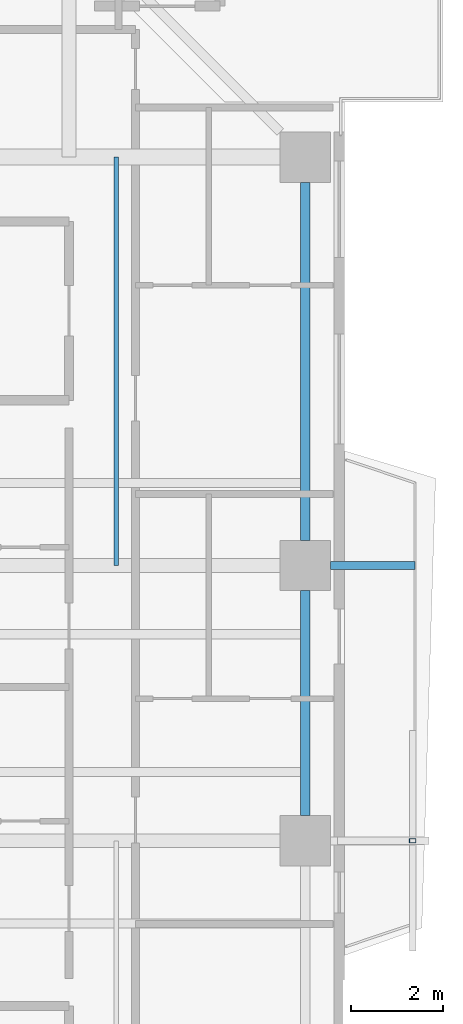
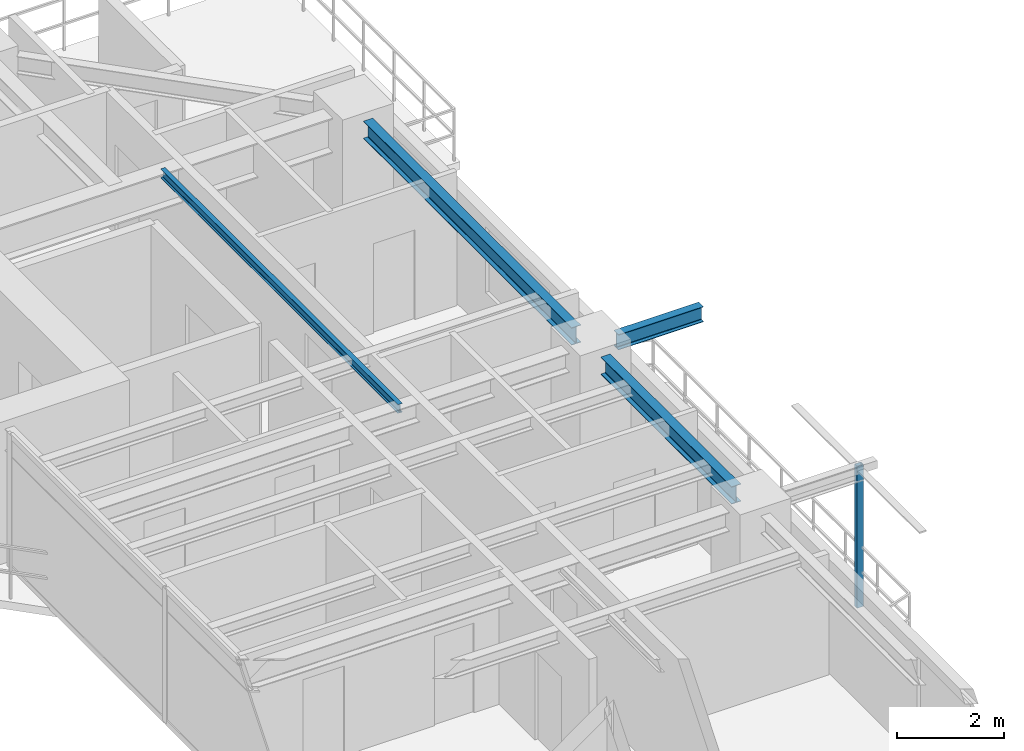
# One storey, part 7 of 17: 4 beams, 1 member.
"""IFC4 building model written with IfcOpenShell, lengths in metres."""

from ifc_helpers import new_model, si_unit, direction, frame, origin, origin_2d, place, context, subcontext, project, spatial, hollow_rectangle, i_section, extrude, source, transform, mapped, material, material_profile, profile_set, type_object, element, save


model = new_model("IFC4")

# Units and contexts
model_context = context("Model", 3, precision=1e-05, world=origin(), true_north=direction((0.0, 1.0)))
body_context = subcontext(model_context, "Body", "Model", "MODEL_VIEW")
ifc_project = project(units=[si_unit("LENGTHUNIT", "METRE"), si_unit("AREAUNIT", "SQUARE_METRE"), si_unit("VOLUMEUNIT", "CUBIC_METRE"), si_unit("PLANEANGLEUNIT", "RADIAN"), si_unit("MASSUNIT", "GRAM", prefix="KILO"), si_unit("THERMODYNAMICTEMPERATUREUNIT", "KELVIN"), si_unit("POWERUNIT", "WATT")], contexts=[model_context])

# Site, building, storey
site_placement = place(None, origin())
site = spatial("IfcSite", under=ifc_project, at=site_placement, CompositionType="ELEMENT")
building_placement = place(site_placement, origin())
building = spatial("IfcBuilding", under=site, at=building_placement, Name="Qiaomeng Ring Towers", CompositionType="ELEMENT")
storey_placement = place(building_placement, frame((0.0, 0.0, 123.0)))
storey = spatial("IfcBuildingStorey", under=building, at=storey_placement, Name="L35", CompositionType="ELEMENT", Elevation=123.0)

# Beams
ifc_material_1 = material(Name="Steel Q355B", Category="steel")
ifc_material_profile_1 = material_profile(ifc_material_1, i_section(OverallWidth=0.199951171875, OverallDepth=0.39990234375, WebThickness=0.008056640625, FlangeThickness=0.012939453125, FilletRadius=0.01611328125, at=origin_2d()), Name="HN 400x200x8x13")
ifc_profile_set_1 = profile_set([ifc_material_profile_1], Name="Steel Q355B")
beam_type_1 = type_object("IfcBeamType", Name="STR-BM-HN400", PredefinedType="SPANDREL", material=ifc_profile_set_1)
shared_shape_1 = source(origin(), body_context, "Body", "SweptSolid", [
    extrude(i_section(OverallWidth=0.199951171875, OverallDepth=0.39990234375, WebThickness=0.008056640625, FlangeThickness=0.012939453125, FilletRadius=0.01611328125, at=origin_2d()), origin(), (0.0, 0.0, 1.0), 7.802001953125),
])
beam_1_placement = place(storey_placement, frame((36.050048828125, 26.549072265625, 2.8701171875), z_axis=(0.0, 1.0, 0.0), x_axis=(-1.0, 0.0, 0.0)))
element("IfcBeam", 1, at=beam_1_placement, inside=storey, type_object=beam_type_1, Name="L35 beam STR-SP-L35-T1-E3-E4", PredefinedType="SPANDREL", context=body_context, shape_type="MappedRepresentation", body=[
    mapped(shared_shape_1, transform((0.0, 0.0, 0.0), x_axis=(1.0, 0.0, 0.0), y_axis=(0.0, 1.0, 0.0), z_axis=(0.0, 0.0, 1.0), scale=1.0)),
])
shared_shape_2 = source(origin(), body_context, "Body", "SweptSolid", [
    extrude(i_section(OverallWidth=0.199951171875, OverallDepth=0.39990234375, WebThickness=0.008056640625, FlangeThickness=0.012939453125, FilletRadius=0.01611328125, at=origin_2d()), origin(), (0.0, 0.0, 1.0), 4.90185546875),
])
beam_2_placement = place(storey_placement, frame((36.050048828125, 20.549072265625, 2.8701171875), z_axis=(0.0, 1.0, 0.0), x_axis=(-1.0, 0.0, 0.0)))
element("IfcBeam", 2, at=beam_2_placement, inside=storey, type_object=beam_type_1, Name="L35 beam STR-SP-L35-T1-E2-E3", PredefinedType="SPANDREL", context=body_context, shape_type="MappedRepresentation", body=[
    mapped(shared_shape_2, transform((0.0, 0.0, 0.0), x_axis=(1.0, 0.0, 0.0), y_axis=(0.0, 1.0, 0.0), z_axis=(0.0, 0.0, 1.0), scale=1.0)),
])
ifc_material_profile_2 = material_profile(ifc_material_1, i_section(OverallWidth=0.175048828125, OverallDepth=0.35009765625, WebThickness=0.007080078125, FlangeThickness=0.010986328125, FilletRadius=0.013916015625, at=origin_2d()), Name="HN 350x175x7x11")
ifc_profile_set_2 = profile_set([ifc_material_profile_2], Name="Steel Q355B")
beam_type_2 = type_object("IfcBeamType", Name="STR-BM-HN350", PredefinedType="JOIST", material=ifc_profile_set_2)
shared_shape_3 = source(origin(), body_context, "Body", "SweptSolid", [
    extrude(i_section(OverallWidth=0.175048828125, OverallDepth=0.35009765625, WebThickness=0.007080078125, FlangeThickness=0.010986328125, FilletRadius=0.013916015625, at=origin_2d()), origin(), (0.0, 0.0, 1.0), 1.8408203125),
])
beam_3_placement = place(storey_placement, frame((36.59912109375, 26.0, 2.89501953125), z_axis=(1.0, 0.0, 0.0), x_axis=(0.0, 1.0, 0.0)))
element("IfcBeam", 3, at=beam_3_placement, inside=storey, type_object=beam_type_2, Name="L35 beam STR-BALBM-L35-E3", PredefinedType="JOIST", context=body_context, shape_type="MappedRepresentation", body=[
    mapped(shared_shape_3, transform((0.0, 0.0, 0.0), x_axis=(1.0, 0.0, 0.0), y_axis=(0.0, 1.0, 0.0), z_axis=(0.0, 0.0, 1.0), scale=1.0)),
])
ifc_material_profile_3 = material_profile(ifc_material_1, i_section(OverallWidth=0.10009765625, OverallDepth=0.199951171875, WebThickness=0.005615234375, FlangeThickness=0.008056640625, FilletRadius=0.010986328125, at=origin_2d()), Name="HN 200x100x5.5x8")
ifc_profile_set_3 = profile_set([ifc_material_profile_3], Name="Steel Q355B")
beam_type_3 = type_object("IfcBeamType", Name="STR-BM-HN200", PredefinedType="JOIST", material=ifc_profile_set_3)
shared_shape_4 = source(origin(), body_context, "Body", "SweptSolid", [
    extrude(i_section(OverallWidth=0.10009765625, OverallDepth=0.199951171875, WebThickness=0.005615234375, FlangeThickness=0.008056640625, FilletRadius=0.010986328125, at=origin_2d()), origin(), (0.0, 0.0, 1.0), 8.89990234375),
])
beam_4_placement = place(storey_placement, frame((31.925048828125, 26.0, 2.969970703125), z_axis=(0.0, 1.0, 0.0), x_axis=(-1.0, 0.0, 0.0)))
element("IfcBeam", 4, at=beam_4_placement, inside=storey, type_object=beam_type_3, Name="L35 beam STR-JST-L35-T1C-EN", PredefinedType="JOIST", context=body_context, shape_type="MappedRepresentation", body=[
    mapped(shared_shape_4, transform((0.0, 0.0, 0.0), x_axis=(1.0, 0.0, 0.0), y_axis=(0.0, 1.0, 0.0), z_axis=(0.0, 0.0, 1.0), scale=1.0)),
])

# Member
ifc_material_2 = material(Name="Stainless steel 316", Category="steel")
ifc_material_profile_4 = material_profile(ifc_material_2, hollow_rectangle(XDim=0.090087890625, YDim=0.139892578125, WallThickness=0.0048828125, at=origin_2d()), Name="SS TRELLIS 90x140")
ifc_profile_set_4 = profile_set([ifc_material_profile_4], Name="Stainless steel 316")
member_type = type_object("IfcMemberType", Name="ARC-TR-POST1", PredefinedType="STUD", material=ifc_profile_set_4)
shared_shape_5 = source(origin(), body_context, "Body", "SweptSolid", [
    extrude(hollow_rectangle(XDim=0.090087890625, YDim=0.139892578125, WallThickness=0.0048828125, at=origin_2d()), origin(), (0.0, 0.0, 1.0), 3.25),
])
member_placement = place(storey_placement, frame((38.389892578125, 20.0, -0.179931640625), z_axis=(0.0, 0.0, 1.0), x_axis=(0.0, 1.0, 0.0)))
element("IfcMember", 5, at=member_placement, inside=storey, type_object=member_type, Name="L35 Outer Ventilated Trellis Post E", PredefinedType="STUD", context=body_context, shape_type="MappedRepresentation", body=[
    mapped(shared_shape_5, transform((0.0, 0.0, 0.0), x_axis=(1.0, 0.0, 0.0), y_axis=(0.0, 1.0, 0.0), z_axis=(0.0, 0.0, 1.0), scale=1.0)),
])

save(model, "model.ifc")
